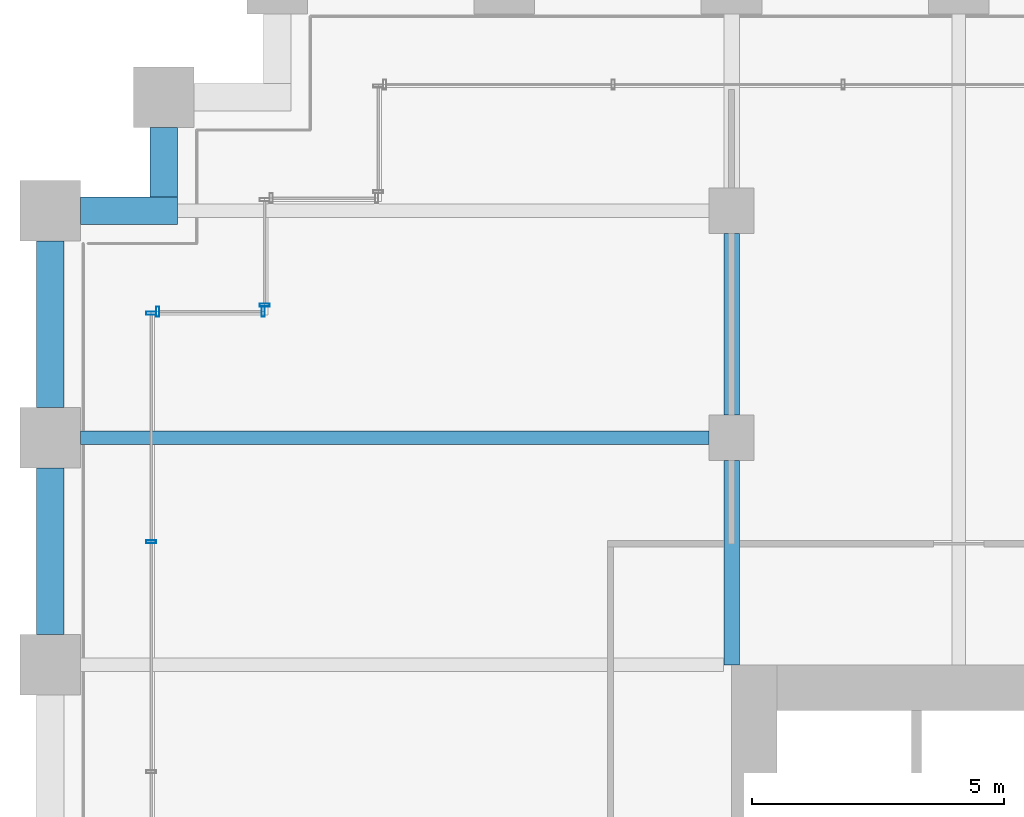
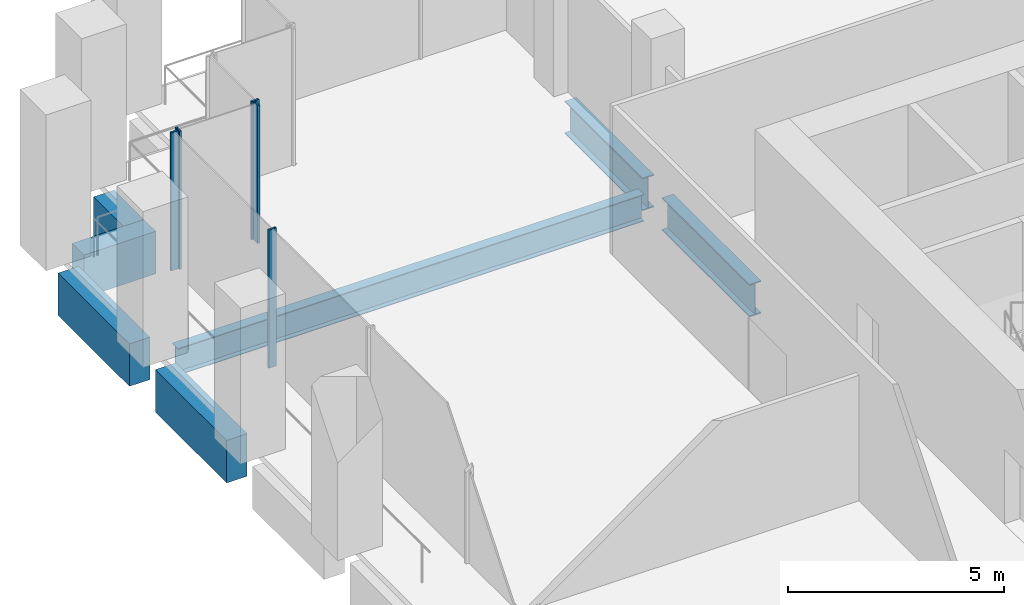
# One storey, part 13 of 36: 7 beams, 5 members, 3 elements without a shape of their own.
"""IFC4 building model written with IfcOpenShell, lengths in metres."""

from ifc_helpers import new_model, si_unit, direction, frame, origin, origin_2d, place, context, subcontext, project, spatial, rectangle, hollow_rectangle, i_section, extrude, material, material_profile, profile_set, type_object, element, aggregate, save


model = new_model("IFC4")

# Units and contexts
model_context = context("Model", 3, precision=1e-05, world=origin(), true_north=direction((0.0, 1.0)))
body_context = subcontext(model_context, "Body", "Model", "MODEL_VIEW")
ifc_project = project(units=[si_unit("LENGTHUNIT", "METRE"), si_unit("AREAUNIT", "SQUARE_METRE"), si_unit("VOLUMEUNIT", "CUBIC_METRE"), si_unit("PLANEANGLEUNIT", "RADIAN"), si_unit("MASSUNIT", "GRAM", prefix="KILO")], contexts=[model_context])

# Site, building, storey
site_placement = place(None, origin())
site = spatial("IfcSite", under=ifc_project, at=site_placement, CompositionType="ELEMENT")
building_placement = place(site_placement, origin())
building = spatial("IfcBuilding", under=site, at=building_placement, Name="Altepetl Exchange Towers", CompositionType="ELEMENT")
storey_placement = place(building_placement, frame((0.0, 0.0, 43.0)))
storey = spatial("IfcBuildingStorey", under=building, at=storey_placement, Name="L09", CompositionType="ELEMENT", Elevation=43.0)

# Beams
ifc_material_1 = material(Name="Steel S355", Category="steel")
ifc_material_profile_1 = material_profile(ifc_material_1, i_section(OverallWidth=0.26611328125, OverallDepth=0.758056640625, WebThickness=0.013916015625, FlangeThickness=0.019287109375, at=origin_2d()), Name="W30X108")
ifc_profile_set_1 = profile_set([ifc_material_profile_1], Name="Steel S355")
beam_type_1 = type_object("IfcBeamType", Name="Floor beam W30X108", PredefinedType="BEAM", material=ifc_profile_set_1)
beam_1_placement = place(storey_placement, frame((27.60009765625, 63.0, -0.553955078125), z_axis=(1.0, 0.0, 0.0), x_axis=(0.0, 1.0, 0.0)))
element("IfcBeam", 1, at=beam_1_placement, inside=storey, type_object=beam_type_1, Name="bm:A:L09:022", PredefinedType="BEAM", context=body_context, shape_type="SweptSolid", body=[
    extrude(i_section(OverallWidth=0.26611328125, OverallDepth=0.758056640625, WebThickness=0.013916015625, FlangeThickness=0.019287109375, at=origin_2d()), origin(), (0.0, 0.0, 1.0), 12.449951171875),
])
ifc_material_profile_2 = material_profile(ifc_material_1, i_section(OverallWidth=0.306884765625, OverallDepth=0.923095703125, WebThickness=0.018310546875, FlangeThickness=0.030029296875, at=origin_2d()), Name="W36X182")
ifc_profile_set_2 = profile_set([ifc_material_profile_2], Name="Steel S355")
beam_type_2 = type_object("IfcBeamType", Name="Girder W36X182", PredefinedType="BEAM", material=ifc_profile_set_2)
beam_2_placement = place(storey_placement, frame((40.5, 67.050048828125, -0.636474609375), z_axis=(0.0, -1.0, 0.0), x_axis=(1.0, 0.0, 0.0)))
element("IfcBeam", 2, at=beam_2_placement, inside=storey, type_object=beam_type_2, Name="gd:A:L09:004", PredefinedType="BEAM", context=body_context, shape_type="SweptSolid", body=[
    extrude(i_section(OverallWidth=0.306884765625, OverallDepth=0.923095703125, WebThickness=0.018310546875, FlangeThickness=0.030029296875, at=origin_2d()), origin(), (0.0, 0.0, 1.0), 3.60009765625),
])
beam_3_placement = place(storey_placement, frame((40.5, 62.550048828125, -0.636474609375), z_axis=(0.0, -1.0, 0.0), x_axis=(1.0, 0.0, 0.0)))
element("IfcBeam", 3, at=beam_3_placement, inside=storey, type_object=beam_type_2, Name="gd:A:L09:005", PredefinedType="BEAM", context=body_context, shape_type="SweptSolid", body=[
    extrude(i_section(OverallWidth=0.306884765625, OverallDepth=0.923095703125, WebThickness=0.018310546875, FlangeThickness=0.030029296875, at=origin_2d()), origin(), (0.0, 0.0, 1.0), 4.050048828125),
])

# Curtain wall, members
ifc_material_2 = material(Name="Aluminium 6063-T6 glazing", Category="aluminium")
curtain_wall_type = type_object("IfcCurtainWallType", Name="Trading floor glazing system", PredefinedType="NOTDEFINED", material=ifc_material_2)
curtain_wall_1_placement = place(storey_placement, origin())
curtain_wall_1 = element("IfcCurtainWall", 4, at=curtain_wall_1_placement, inside=storey, type_object=curtain_wall_type, Name="CW2 run", PredefinedType="NOTDEFINED")
ifc_material_3 = material(Name="Aluminium 6063-T6", Category="aluminium")
ifc_material_profile_3 = material_profile(ifc_material_3, hollow_rectangle(XDim=0.06005859375, YDim=0.199951171875, WallThickness=0.0029296875, at=origin_2d()), Name="Mullion 60x200 aluminium")
ifc_profile_set_3 = profile_set([ifc_material_profile_3], Name="Aluminium 6063-T6")
member_type = type_object("IfcMemberType", Name="Mullion 60x200 aluminium", PredefinedType="MULLION", material=ifc_profile_set_3)
member_1_placement = place(storey_placement, frame((31.219970703125, 65.5, 0.0), z_axis=(0.0, 0.0, 1.0), x_axis=(-1.0, 0.0, 0.0)))
member_1 = element("IfcMember", 5, at=member_1_placement, type_object=member_type, Name="MU2 mullion", PredefinedType="MULLION", context=body_context, shape_type="SweptSolid", body=[
    extrude(hollow_rectangle(XDim=0.06005859375, YDim=0.199951171875, WallThickness=0.0029296875, at=origin_2d()), origin(), (0.0, 0.0, 1.0), 3.89990234375),
])
member_2_placement = place(storey_placement, frame((29.1298828125, 65.5, 0.0), z_axis=(0.0, 0.0, 1.0), x_axis=(-1.0, 0.0, 0.0)))
member_2 = element("IfcMember", 6, at=member_2_placement, type_object=member_type, Name="MU2 mullion", PredefinedType="MULLION", context=body_context, shape_type="SweptSolid", body=[
    extrude(hollow_rectangle(XDim=0.06005859375, YDim=0.199951171875, WallThickness=0.0029296875, at=origin_2d()), origin(), (0.0, 0.0, 1.0), 3.89990234375),
])
aggregate(curtain_wall_1, [member_1, member_2])

curtain_wall_2_placement = place(storey_placement, origin())
curtain_wall_2 = element("IfcCurtainWall", 7, at=curtain_wall_2_placement, inside=storey, type_object=curtain_wall_type, Name="CW2 run", PredefinedType="NOTDEFINED")
member_3_placement = place(storey_placement, frame((29.0, 65.469970703125, 0.0), z_axis=(0.0, 0.0, 1.0), x_axis=(0.0, -1.0, 0.0)))
member_3 = element("IfcMember", 8, at=member_3_placement, type_object=member_type, Name="MU2 mullion", PredefinedType="MULLION", context=body_context, shape_type="SweptSolid", body=[
    extrude(hollow_rectangle(XDim=0.06005859375, YDim=0.199951171875, WallThickness=0.0029296875, at=origin_2d()), origin(), (0.0, 0.0, 1.0), 3.89990234375),
])
member_4_placement = place(storey_placement, frame((29.0, 60.94287109375, 0.0), z_axis=(0.0, 0.0, 1.0), x_axis=(0.0, -1.0, 0.0)))
member_4 = element("IfcMember", 9, at=member_4_placement, type_object=member_type, Name="MU2 mullion", PredefinedType="MULLION", context=body_context, shape_type="SweptSolid", body=[
    extrude(hollow_rectangle(XDim=0.06005859375, YDim=0.199951171875, WallThickness=0.0029296875, at=origin_2d()), origin(), (0.0, 0.0, 1.0), 3.89990234375),
])
aggregate(curtain_wall_2, [member_3, member_4])

# Curtain wall, member
curtain_wall_3_placement = place(storey_placement, origin())
curtain_wall_3 = element("IfcCurtainWall", 10, at=curtain_wall_3_placement, inside=storey, type_object=curtain_wall_type, Name="CW2 run", PredefinedType="NOTDEFINED")
member_5_placement = place(storey_placement, frame((31.25, 65.6298828125, 0.0), z_axis=(0.0, 0.0, 1.0), x_axis=(0.0, -1.0, 0.0)))
member_5 = element("IfcMember", 11, at=member_5_placement, type_object=member_type, Name="MU2 mullion", PredefinedType="MULLION", context=body_context, shape_type="SweptSolid", body=[
    extrude(hollow_rectangle(XDim=0.06005859375, YDim=0.199951171875, WallThickness=0.0029296875, at=origin_2d()), origin(), (0.0, 0.0, 1.0), 3.89990234375),
])
aggregate(curtain_wall_3, [member_5])

# Beams
ifc_material_4 = material(Name="Concrete C50/60 precast with tezontle facing", Category="concrete")
ifc_material_profile_4 = material_profile(ifc_material_4, rectangle(XDim=0.550048828125, YDim=1.199951171875, at=origin_2d()), Name="550 x 1200")
ifc_profile_set_4 = profile_set([ifc_material_profile_4], Name="Concrete C50/60 precast with tezontle facing")
beam_type_3 = type_object("IfcBeamType", Name="Spandrel beam 550x1200 tezontle", PredefinedType="SPANDREL", material=ifc_profile_set_4)
beam_4_placement = place(storey_placement, frame((29.25, 69.14990234375, -0.77490234375), z_axis=(0.0, -1.0, 0.0), x_axis=(1.0, 0.0, 0.0)))
element("IfcBeam", 12, at=beam_4_placement, inside=storey, type_object=beam_type_3, Name="sp:A:L09:034", PredefinedType="SPANDREL", context=body_context, shape_type="SweptSolid", body=[
    extrude(rectangle(XDim=0.550048828125, YDim=1.199951171875, at=origin_2d()), origin(), (0.0, 0.0, 1.0), 1.375),
])
beam_5_placement = place(storey_placement, frame((29.52490234375, 67.5, -0.77490234375), z_axis=(-1.0, 0.0, 0.0), x_axis=(0.0, -1.0, 0.0)))
element("IfcBeam", 13, at=beam_5_placement, inside=storey, type_object=beam_type_3, Name="sp:A:L09:035", PredefinedType="SPANDREL", context=body_context, shape_type="SweptSolid", body=[
    extrude(rectangle(XDim=0.550048828125, YDim=1.199951171875, at=origin_2d()), origin(), (0.0, 0.0, 1.0), 1.9248046875),
])
for number, where, z_axis, x_axis, name in (
    (14, (27.0, 66.89990234375, -0.77490234375), (0.0, -1.0, 0.0), (1.0, 0.0, 0.0), "sp:A:L09:036"),
    (15, (27.0, 62.39990234375, -0.77490234375), (0.0, -1.0, 0.0), (1.0, 0.0, 0.0), "sp:A:L09:037"),
):
    element("IfcBeam", number, at=place(storey_placement, frame(where, z_axis=z_axis, x_axis=x_axis)), inside=storey, type_object=beam_type_3, Name=name, PredefinedType="SPANDREL", context=body_context, shape_type="SweptSolid", body=[
        extrude(rectangle(XDim=0.550048828125, YDim=1.199951171875, at=origin_2d()), origin(), (0.0, 0.0, 1.0), 3.2998046875),
    ])

save(model, "model.ifc")
